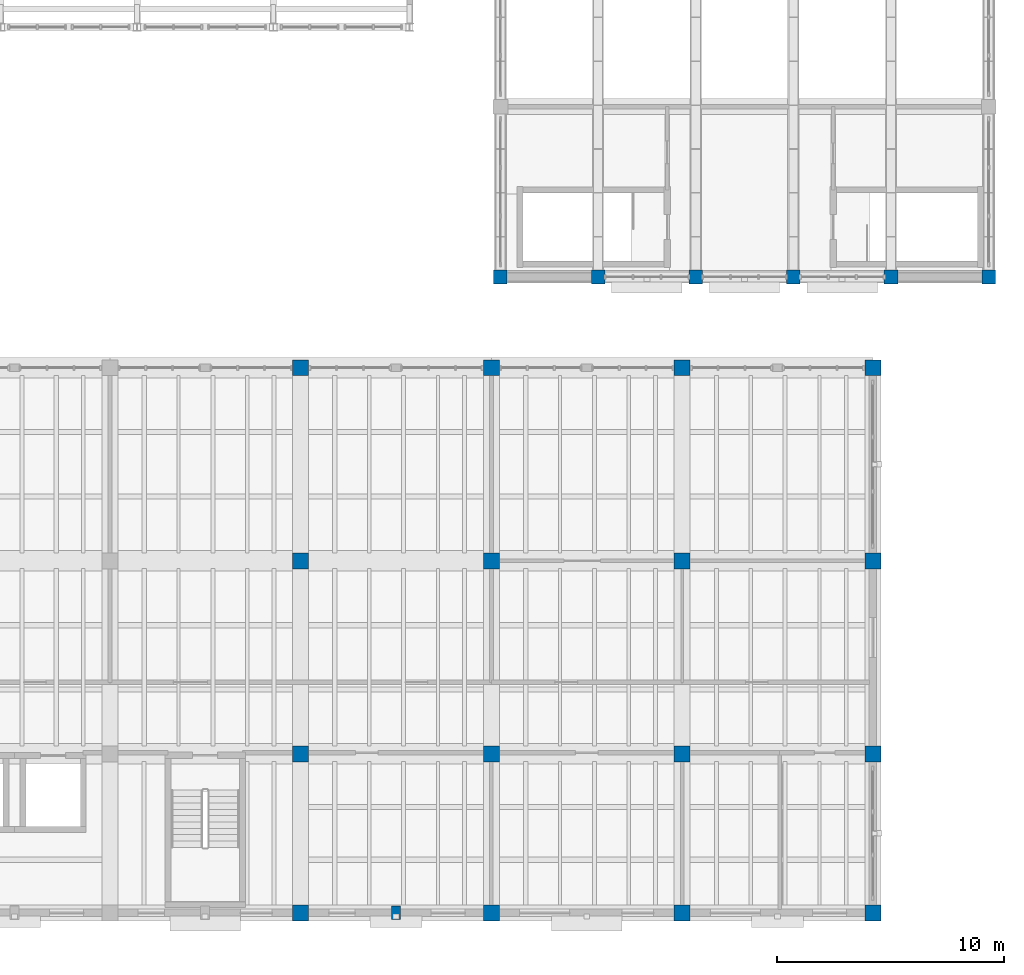
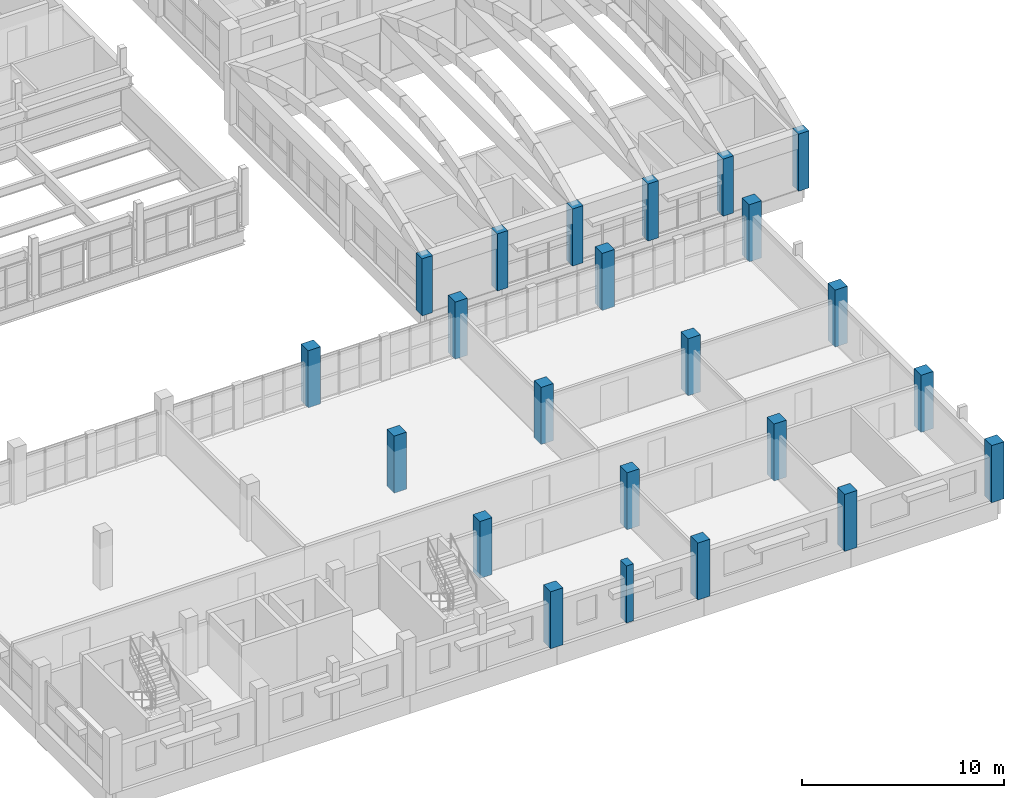
# One storey, part 6 of 77: 23 columns.
"""IFC4 building model written with IfcOpenShell, lengths in metres."""

from ifc_helpers import new_model, si_unit, direction, frame, origin, origin_2d, place, context, subcontext, project, spatial, rectangle, extrude, material, material_profile, profile_set, type_object, element, save


model = new_model("IFC4")

# Units and contexts
model_context = context("Model", 3, precision=1e-05, world=origin(), true_north=direction((0.0, 1.0)))
body_context = subcontext(model_context, "Body", "Model", "MODEL_VIEW")
ifc_project = project(units=[si_unit("LENGTHUNIT", "METRE"), si_unit("AREAUNIT", "SQUARE_METRE"), si_unit("VOLUMEUNIT", "CUBIC_METRE"), si_unit("PLANEANGLEUNIT", "RADIAN"), si_unit("MASSUNIT", "GRAM", prefix="KILO")], contexts=[model_context])

# Site, building, storey
site_placement = place(None, origin())
site = spatial("IfcSite", under=ifc_project, at=site_placement, CompositionType="ELEMENT")
building_placement = place(site_placement, origin())
building = spatial("IfcBuilding", under=site, at=building_placement, Name="Trellovar Central Fire Station", CompositionType="ELEMENT")
storey_placement = place(building_placement, frame((0.0, 0.0, 5.85009765625)))
storey = spatial("IfcBuildingStorey", under=building, at=storey_placement, Name="L02", CompositionType="ELEMENT", Elevation=5.85009765625)

# Columns
ifc_material_1 = material(Name="Concrete C40/50", Category="concrete")
ifc_material_profile_1 = material_profile(ifc_material_1, rectangle(XDim=0.699951171875, YDim=0.699951171875, at=origin_2d()), Name="RC700X700")
ifc_profile_set_1 = profile_set([ifc_material_profile_1], Name="Concrete C40/50")
column_type_1 = type_object("IfcColumnType", Name="COL-C4", PredefinedType="COLUMN", material=ifc_profile_set_1)
for number, where, z_axis, x_axis, name in (
    (1, (130.699951171875, 9.0, 0.0), (0.0, 0.0, 1.0), (1.0, 0.0, 0.0), "L02 column C-4"),
    (2, (130.699951171875, 16.0, 0.0), (0.0, 0.0, 1.0), (1.0, 0.0, 0.0), "L02 column C-4"),
    (3, (130.699951171875, 24.5, 0.0), (0.0, 0.0, 1.0), (1.0, 0.0, 0.0), "L02 column C-4"),
    (4, (130.699951171875, 33.0, 0.0), (0.0, 0.0, 1.0), (1.0, 0.0, 0.0), "L02 column C-4"),
    (5, (139.10009765625, 9.0, 0.0), (0.0, 0.0, 1.0), (1.0, 0.0, 0.0), "L02 column C-4"),
    (6, (139.10009765625, 16.0, 0.0), (0.0, 0.0, 1.0), (1.0, 0.0, 0.0), "L02 column C-4"),
    (7, (139.10009765625, 24.5, 0.0), (0.0, 0.0, 1.0), (1.0, 0.0, 0.0), "L02 column C-4"),
    (8, (139.10009765625, 33.0, 0.0), (0.0, 0.0, 1.0), (1.0, 0.0, 0.0), "L02 column C-4"),
    (9, (147.5, 9.0, 0.0), (0.0, 0.0, 1.0), (1.0, 0.0, 0.0), "L02 column C-4"),
    (10, (147.5, 16.0, 0.0), (0.0, 0.0, 1.0), (1.0, 0.0, 0.0), "L02 column C-4"),
    (11, (147.5, 24.5, 0.0), (0.0, 0.0, 1.0), (1.0, 0.0, 0.0), "L02 column C-4"),
    (12, (147.5, 33.0, 0.0), (0.0, 0.0, 1.0), (1.0, 0.0, 0.0), "L02 column C-4"),
    (13, (155.89990234375, 9.0, 0.0), (0.0, 0.0, 1.0), (1.0, 0.0, 0.0), "L02 column C-4"),
    (14, (155.89990234375, 16.0, 0.0), (0.0, 0.0, 1.0), (1.0, 0.0, 0.0), "L02 column C-4"),
    (15, (155.89990234375, 24.5, 0.0), (0.0, 0.0, 1.0), (1.0, 0.0, 0.0), "L02 column C-4"),
    (16, (155.89990234375, 33.0, 0.0), (0.0, 0.0, 1.0), (1.0, 0.0, 0.0), "L02 column C-4"),
):
    element("IfcColumn", number, at=place(storey_placement, frame(where, z_axis=z_axis, x_axis=x_axis)), inside=storey, type_object=column_type_1, Name=name, PredefinedType="COLUMN", context=body_context, shape_type="SweptSolid", body=[
        extrude(rectangle(XDim=0.699951171875, YDim=0.699951171875, at=origin_2d()), origin(), (0.0, 0.0, 1.0), 3.449951171875),
    ])
ifc_material_2 = material(Name="Concrete C40/50", Category="concrete")
ifc_material_profile_2 = material_profile(ifc_material_2, rectangle(XDim=0.60009765625, YDim=0.60009765625, at=origin_2d()), Name="RC600X600")
ifc_profile_set_2 = profile_set([ifc_material_profile_2], Name="Concrete C40/50")
column_type_2 = type_object("IfcColumnType", Name="COL-C6", PredefinedType="COLUMN", material=ifc_profile_set_2)
for number, where, z_axis, x_axis, name in (
    (17, (139.5, 37.0, 0.0), (0.0, 0.0, 1.0), (1.0, 0.0, 0.0), "L02 column C-6"),
    (18, (143.800048828125, 37.0, 0.0), (0.0, 0.0, 1.0), (1.0, 0.0, 0.0), "L02 column C-6"),
    (19, (148.10009765625, 37.0, 0.0), (0.0, 0.0, 1.0), (1.0, 0.0, 0.0), "L02 column C-6"),
    (20, (152.39990234375, 37.0, 0.0), (0.0, 0.0, 1.0), (1.0, 0.0, 0.0), "L02 column C-6"),
    (21, (156.699951171875, 37.0, 0.0), (0.0, 0.0, 1.0), (1.0, 0.0, 0.0), "L02 column C-6"),
    (22, (161.0, 37.0, 0.0), (0.0, 0.0, 1.0), (1.0, 0.0, 0.0), "L02 column C-6"),
):
    element("IfcColumn", number, at=place(storey_placement, frame(where, z_axis=z_axis, x_axis=x_axis)), inside=storey, type_object=column_type_2, Name=name, PredefinedType="COLUMN", context=body_context, shape_type="SweptSolid", body=[
        extrude(rectangle(XDim=0.60009765625, YDim=0.60009765625, at=origin_2d()), origin(), (0.0, 0.0, 1.0), 3.449951171875),
    ])
ifc_material_3 = material(Name="Concrete C40/50", Category="concrete")
ifc_material_profile_3 = material_profile(ifc_material_3, rectangle(XDim=0.39990234375, YDim=0.60009765625, at=origin_2d()), Name="RC400X600")
ifc_profile_set_3 = profile_set([ifc_material_profile_3], Name="Concrete C40/50")
column_type_3 = type_object("IfcColumnType", Name="COL-PIL1", PredefinedType="PILASTER", material=ifc_profile_set_3)
column_placement = place(storey_placement, frame((134.89990234375, 9.0, 0.0), z_axis=(0.0, 0.0, 1.0), x_axis=(1.0, 0.0, 0.0)))
element("IfcColumn", 23, at=column_placement, inside=storey, type_object=column_type_3, Name="V5 south boulevard sun-pier L02-4", PredefinedType="PILASTER", context=body_context, shape_type="SweptSolid", body=[
    extrude(rectangle(XDim=0.39990234375, YDim=0.60009765625, at=origin_2d()), origin(), (0.0, 0.0, 1.0), 3.449951171875),
])

save(model, "model.ifc")
